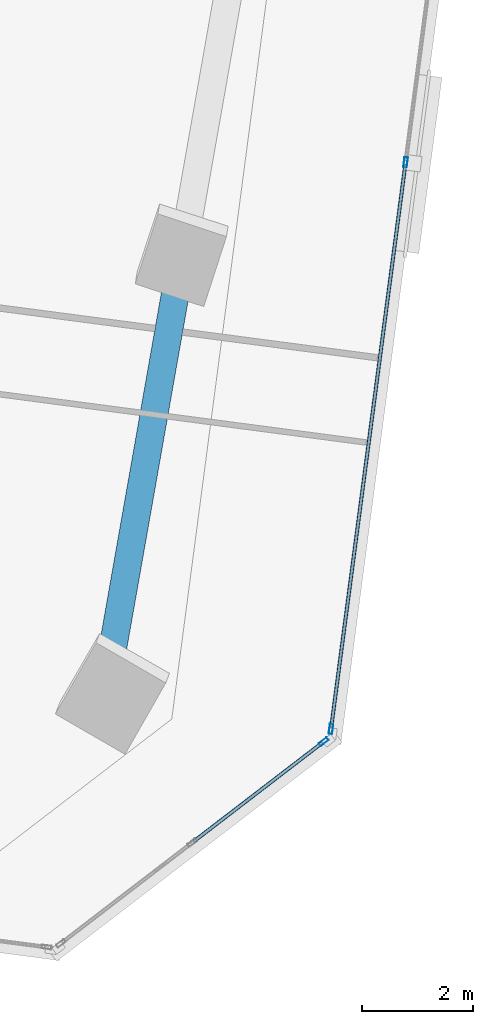
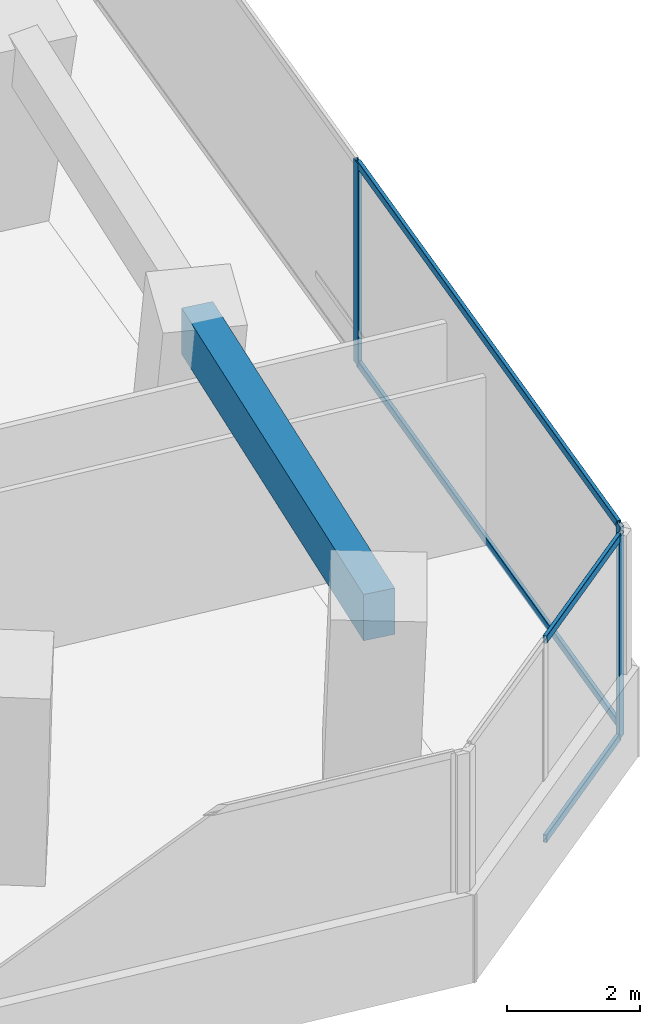
# One storey, part 10 of 24: 7 members, 1 beam, 2 elements without a shape of their own.
"""IFC4 building model written with IfcOpenShell, lengths in metres."""

import ifcopenshell
import ifcopenshell.guid

model = None  # the IFC model being written
_history = None  # IfcOwnerHistory: only IFC2X3 demands one
_inside = {}  # id of a spatial element -> (the spatial element, [elements in it])
_under = {}  # id of a project, library or spatial element -> (it, [spatial elements below it])
_declared = {}  # id of a project -> (the project, [libraries it declares])
_typed = {}  # id of a type object -> (the type object, [elements of that type])
_made_of = {}  # id of a material, layer set ... -> (it, [elements and type objects made of it])


def new_model(schema):
    """Start an empty IFC model of exactly this schema.

    Asked for "IFC4X3", IfcOpenShell would pick the latest addendum, in which some entities
    have other attributes; the version numbers below select the first issue.
    IFC2X3 requires an IfcOwnerHistory on every rooted entity: one is made here for all.
    """
    global model, _history
    if schema == "IFC4X3":
        model = ifcopenshell.file(schema_version=(4, 3, 0, 0))
    else:
        model = ifcopenshell.file(schema=schema)
    _inside.clear()
    _under.clear()
    _declared.clear()
    _typed.clear()
    _made_of.clear()
    _history = None
    if model.schema == "IFC2X3":
        org = make("IfcOrganization", Name="unknown")
        user = make(
            "IfcPersonAndOrganization",
            ThePerson=make("IfcPerson", FamilyName="unknown"),
            TheOrganization=org,
        )
        app = make(
            "IfcApplication",
            ApplicationDeveloper=org,
            Version="unknown",
            ApplicationFullName="unknown",
            ApplicationIdentifier="unknown",
        )
        _history = make(
            "IfcOwnerHistory",
            OwningUser=user,
            OwningApplication=app,
            ChangeAction="ADDED",
            CreationDate=0,
        )
    return model


def make(cls, **values):
    """One entity of the class cls with the attributes given. An attribute that is None is left unset."""
    return model.create_entity(
        cls, **{name: value for name, value in values.items() if value is not None}
    )


def rooted(cls, **values):
    """An entity with a GlobalId (a new one), such as an element, a storey or a relation."""
    return make(cls, GlobalId=ifcopenshell.guid.new(), OwnerHistory=_history, **values)


def si_unit(unit_type, name, prefix=None):
    """IfcSIUnit, for example si_unit("LENGTHUNIT", "METRE", prefix="MILLI")."""
    return make("IfcSIUnit", UnitType=unit_type, Prefix=prefix, Name=name)


def assignment(units):
    """IfcUnitAssignment: the units of a project."""
    return None if units is None else make("IfcUnitAssignment", Units=units)


def point(xyz):
    """IfcCartesianPoint."""
    return None if xyz is None else make("IfcCartesianPoint", Coordinates=xyz)


def direction(xyz):
    """IfcDirection."""
    return None if xyz is None else make("IfcDirection", DirectionRatios=xyz)


def frame(location, z_axis=None, x_axis=None):
    """IfcAxis2Placement3D, a coordinate frame: its origin and axes. An axis left out is left unset."""
    return make(
        "IfcAxis2Placement3D",
        Location=point(location),
        Axis=direction(z_axis),
        RefDirection=direction(x_axis),
    )


def frame_2d(location, x_axis=None):
    """IfcAxis2Placement2D, a coordinate frame in the plane: its origin and x axis."""
    return make(
        "IfcAxis2Placement2D", Location=point(location), RefDirection=direction(x_axis)
    )


def origin():
    """The frame at (0, 0, 0) with its axes left unset."""
    return frame((0.0, 0.0, 0.0))


def origin_2d():
    """The frame at (0, 0) in the plane with its x axis left unset."""
    return frame_2d((0.0, 0.0))


def place(relative_to, where):
    """IfcLocalPlacement: puts the frame where relative to a parent placement (None: the world)."""
    return make(
        "IfcLocalPlacement", PlacementRelTo=relative_to, RelativePlacement=where
    )


def context(
    kind, dimensions, precision=None, world=None, true_north=None, identifier=None
):
    """IfcGeometricRepresentationContext, for example the 3D "Model" context."""
    return make(
        "IfcGeometricRepresentationContext",
        ContextIdentifier=identifier,
        ContextType=kind,
        CoordinateSpaceDimension=dimensions,
        Precision=precision,
        WorldCoordinateSystem=world,
        TrueNorth=true_north,
    )


def subcontext(parent, identifier, kind, view, scale=None):
    """IfcGeometricRepresentationSubContext, for example "Body" below "Model"."""
    return make(
        "IfcGeometricRepresentationSubContext",
        ContextIdentifier=identifier,
        ContextType=kind,
        ParentContext=parent,
        TargetScale=scale,
        TargetView=view,
    )


def project(units=None, contexts=None):
    """IfcProject with its units and contexts."""
    return rooted(
        "IfcProject",
        Name="project",
        RepresentationContexts=contexts,
        UnitsInContext=assignment(units),
    )


def spatial(cls, under=None, at=None, **own):
    """A site, building, storey or space (cls), placed at a placement, below another one or the project."""
    s = rooted(cls, ObjectPlacement=at, **own)
    if under is not None:
        _under.setdefault(under.id(), (under, []))[1].append(s)
    return s


def profile(cls, at=None, kind="AREA", **sizes):
    """A parametric profile (cls). Its sizes go by their IFC names, for example OverallWidth=200.0."""
    return make(cls, ProfileType=kind, Position=at, **sizes)


def rectangle(**sizes):
    """IfcRectangleProfileDef."""
    return profile("IfcRectangleProfileDef", **sizes)


def hollow_rectangle(**sizes):
    """IfcRectangleHollowProfileDef."""
    return profile("IfcRectangleHollowProfileDef", **sizes)


def extrude(swept, where, along, depth):
    """IfcExtrudedAreaSolid: the profile swept, set in the frame where, extruded along a direction by depth."""
    return make(
        "IfcExtrudedAreaSolid",
        SweptArea=swept,
        Position=where,
        ExtrudedDirection=direction(along),
        Depth=depth,
    )


def shape(context_of_items, identifier, shape_type, items):
    """IfcShapeRepresentation: the items that make up one representation, for example the "Body"."""
    return make(
        "IfcShapeRepresentation",
        ContextOfItems=context_of_items,
        RepresentationIdentifier=identifier,
        RepresentationType=shape_type,
        Items=items,
    )


def source(mapping_origin, context_of_items, identifier, shape_type, items):
    """IfcRepresentationMap: a shape defined once, which mapped items show again and again."""
    return make(
        "IfcRepresentationMap",
        MappingOrigin=mapping_origin,
        MappedRepresentation=shape(context_of_items, identifier, shape_type, items),
    )


def transform(
    local_origin,
    x_axis=None,
    y_axis=None,
    z_axis=None,
    scale=None,
    scale2=None,
    scale3=None,
    uniform=True,
):
    """IfcCartesianTransformationOperator3D, or its non-uniform kind. x_axis, y_axis, z_axis: its Axis1, 2, 3."""
    if uniform:
        return make(
            "IfcCartesianTransformationOperator3D",
            Axis1=direction(x_axis),
            Axis2=direction(y_axis),
            LocalOrigin=point(local_origin),
            Scale=scale,
            Axis3=direction(z_axis),
        )
    return make(
        "IfcCartesianTransformationOperator3DnonUniform",
        Axis1=direction(x_axis),
        Axis2=direction(y_axis),
        LocalOrigin=point(local_origin),
        Scale=scale,
        Axis3=direction(z_axis),
        Scale2=scale2,
        Scale3=scale3,
    )


def mapped(mapping_source, mapping_target):
    """IfcMappedItem: shows the shape of a source again, moved by a transform."""
    return make(
        "IfcMappedItem", MappingSource=mapping_source, MappingTarget=mapping_target
    )


def material(Name=None, Category=None):
    """IfcMaterial."""
    return make("IfcMaterial", Name=Name, Category=Category)


def material_profile(
    of_material, cross_section, Name=None, Category=None, Priority=None
):
    """IfcMaterialProfile: a cross section and its material."""
    return make(
        "IfcMaterialProfile",
        Name=Name,
        Material=of_material,
        Profile=cross_section,
        Priority=Priority,
        Category=Category,
    )


def profile_set(profiles, Name=None, composite=None):
    """IfcMaterialProfileSet."""
    return make(
        "IfcMaterialProfileSet",
        Name=Name,
        MaterialProfiles=profiles,
        CompositeProfile=composite,
    )


def made_of(thing, what):
    """Note that an element or type object is made of a material, layer set ...; save() writes the relation."""
    if what is not None:
        _made_of.setdefault(what.id(), (what, []))[1].append(thing)
    return thing


def type_object(cls, material=None, **own):
    """A type object (cls), such as IfcWallType, which elements share."""
    return made_of(rooted(cls, **own), material)


def element(
    cls,
    number,
    at=None,
    inside=None,
    cuts=None,
    type_object=None,
    material=None,
    context=None,
    identifier="Body",
    shape_type=None,
    held_by="IfcProductDefinitionShape",
    body=None,
    shapes=None,
    **own,
):
    """One element of the class cls, such as IfcWall. Its Tag is "e" and its number.

    at: its placement. inside: the storey or other place that contains it. cuts: it is an
    opening in that element (IfcRelVoidsElement). A single representation is given by context,
    identifier, shape_type and body (its items); several are given by shapes. held_by: the class
    of the entity that holds the representations. save() writes the other relations.
    """
    e = rooted(cls, Tag="e%d" % number, ObjectPlacement=at, **own)
    if body is not None:
        shapes = [shape(context, identifier, shape_type, body)]
    if shapes is not None:
        e.Representation = make(held_by, Representations=shapes)
    if inside is not None:
        _inside.setdefault(inside.id(), (inside, []))[1].append(e)
    if cuts is not None:
        rooted(
            "IfcRelVoidsElement", RelatingBuildingElement=cuts, RelatedOpeningElement=e
        )
    if type_object is not None:
        _typed.setdefault(type_object.id(), (type_object, []))[1].append(e)
    return made_of(e, material)


def aggregate(whole, parts):
    """IfcRelAggregates: a whole, such as a stair, and the parts it consists of."""
    return rooted("IfcRelAggregates", RelatingObject=whole, RelatedObjects=parts)


def save(model, path):
    """Write the relations noted so far, then the file.

    IfcRelAggregates (storeys below a building ...), IfcRelContainedInSpatialStructure (elements
    in a storey), IfcRelDefinesByType, IfcRelAssociatesMaterial and IfcRelDeclares: one each for
    every whole, place, type object, material and project.
    """
    for whole, parts in _under.values():
        aggregate(whole, parts)
    for where, things in _inside.values():
        rooted(
            "IfcRelContainedInSpatialStructure",
            RelatedElements=things,
            RelatingStructure=where,
        )
    for kind, things in _typed.values():
        rooted("IfcRelDefinesByType", RelatedObjects=things, RelatingType=kind)
    for what, things in _made_of.values():
        rooted("IfcRelAssociatesMaterial", RelatedObjects=things, RelatingMaterial=what)
    for by, libraries in _declared.values():
        rooted("IfcRelDeclares", RelatingContext=by, RelatedDefinitions=libraries)
    model.write(path)


model = new_model("IFC4")

# Units and contexts
model_context = context("Model", 3, precision=1e-05, world=origin(), true_north=direction((0.0, 1.0)))
body_context = subcontext(model_context, "Body", "Model", "MODEL_VIEW")
ifc_project = project(units=[si_unit("LENGTHUNIT", "METRE"), si_unit("AREAUNIT", "SQUARE_METRE"), si_unit("VOLUMEUNIT", "CUBIC_METRE"), si_unit("PLANEANGLEUNIT", "RADIAN"), si_unit("MASSUNIT", "GRAM", prefix="KILO")], contexts=[model_context])

# Site, building, storey
site_placement = place(None, origin())
site = spatial("IfcSite", under=ifc_project, at=site_placement, CompositionType="ELEMENT")
building_placement = place(site_placement, origin())
building = spatial("IfcBuilding", under=site, at=building_placement, Name="Torre Montelarca", CompositionType="ELEMENT")
storey_placement = place(building_placement, frame((0.0, 0.0, 70.60009765625)))
storey = spatial("IfcBuildingStorey", under=building, at=storey_placement, Name="L15", CompositionType="ELEMENT", Elevation=70.60009765625)

# Beam
ifc_material_1 = material(Name="Concrete C55/67", Category="concrete")
ifc_material_profile_1 = material_profile(ifc_material_1, rectangle(XDim=0.5, YDim=0.85009765625, at=origin_2d()), Name="RCB500X850", Category="concrete")
ifc_profile_set_1 = profile_set([ifc_material_profile_1], Name="Concrete C55/67")
beam_type = type_object("IfcBeamType", Name="BM-SP-RC850-EXT", PredefinedType="SPANDREL", material=ifc_profile_set_1)
shared_shape_1 = source(origin(), body_context, "Body", "SweptSolid", [
    extrude(rectangle(XDim=0.5, YDim=0.85009765625, at=origin_2d()), origin(), (0.0, 0.0, 1.0), 8.0),
])
beam_placement = place(storey_placement, frame((58.02587890625, 17.43603515625, 3.534912109375), z_axis=(0.173646056486, 0.984808127031, 0.0), x_axis=(-0.984808127031, 0.173646056486, 0.0)))
element("IfcBeam", 1, at=beam_placement, inside=storey, type_object=beam_type, Name="L15 Grid Girder Y 24.0-32.0 at X=60.0", PredefinedType="SPANDREL", context=body_context, shape_type="MappedRepresentation", body=[
    mapped(shared_shape_1, transform((0.0, 0.0, 0.0), scale=1.0)),
])

# Curtain wall, members
ifc_material_2 = material(Name="Insulated low-E laminated glass", Category="glass")
curtain_wall_type = type_object("IfcCurtainWallType", Name="CW-SYS-Z1", PredefinedType="USERDEFINED", material=ifc_material_2)
curtain_wall_1_placement = place(storey_placement, origin())
curtain_wall_1 = element("IfcCurtainWall", 2, at=curtain_wall_1_placement, inside=storey, type_object=curtain_wall_type, Name="L15 Curtain Wall Run CW-T3-L15-E05-B1", ObjectType="UNITISED GLAZING", PredefinedType="USERDEFINED")
ifc_material_3 = material(Name="Anodised aluminium AA 6063-T6", Category="aluminium")
ifc_material_profile_2 = material_profile(ifc_material_3, hollow_rectangle(XDim=0.06494140625, YDim=0.139892578125, WallThickness=0.00390625, InnerFilletRadius=0.00390625, OuterFilletRadius=0.008056640625, at=origin_2d()), Name="ALU65X140X4", Category="aluminium")
ifc_profile_set_2 = profile_set([ifc_material_profile_2], Name="Anodised aluminium AA 6063-T6")
member_type_1 = type_object("IfcMemberType", Name="CWT-ALU140", PredefinedType="USERDEFINED", material=ifc_profile_set_2)
shared_shape_2 = source(origin(), body_context, "Body", "SweptSolid", [
    extrude(hollow_rectangle(XDim=0.06494140625, YDim=0.139892578125, WallThickness=0.00390625, InnerFilletRadius=0.00390625, OuterFilletRadius=0.008056640625, at=origin_2d()), origin(), (0.0, 0.0, 1.0), 2.918701171875),
])
member_1_placement = place(storey_placement, frame((59.74560546875, 15.43115234375, 0.032470703125), z_axis=(0.793326237783, 0.608796748058, 0.0), x_axis=(-0.608796748058, 0.793326237783, 0.0)))
member_1 = element("IfcMember", 3, at=member_1_placement, type_object=member_type_1, Name="CW transom 2.1", ObjectType="TRANSOM", PredefinedType="USERDEFINED", context=body_context, shape_type="MappedRepresentation", body=[
    mapped(shared_shape_2, transform((0.0, 0.0, 0.0), scale=1.0)),
])
member_2_placement = place(storey_placement, frame((59.74560546875, 15.43115234375, 3.6875), z_axis=(0.793326237783, 0.608796748058, 0.0), x_axis=(-0.608796748058, 0.793326237783, 0.0)))
member_2 = element("IfcMember", 4, at=member_2_placement, type_object=member_type_1, Name="CW transom 2.2", ObjectType="TRANSOM", PredefinedType="USERDEFINED", context=body_context, shape_type="MappedRepresentation", body=[
    mapped(shared_shape_2, transform((0.0, 0.0, 0.0), scale=1.0)),
])

curtain_wall_2_placement = place(storey_placement, origin())
curtain_wall_2 = element("IfcCurtainWall", 5, at=curtain_wall_2_placement, inside=storey, type_object=curtain_wall_type, Name="L15 Curtain Wall Run CW-T3-L15-E06-B1", ObjectType="UNITISED GLAZING", PredefinedType="USERDEFINED")
shared_shape_3 = source(origin(), body_context, "Body", "SweptSolid", [
    extrude(hollow_rectangle(XDim=0.06494140625, YDim=0.139892578125, WallThickness=0.00390625, InnerFilletRadius=0.00390625, OuterFilletRadius=0.008056640625, at=origin_2d()), origin(), (0.0, 0.0, 1.0), 10.236572265625),
])
member_3_placement = place(storey_placement, frame((62.224609375, 17.4912109375, 0.032470703125), z_axis=(0.130531014, 0.991444226563, 0.0), x_axis=(-0.991444226563, 0.130531014, 0.0)))
member_3 = element("IfcMember", 6, at=member_3_placement, type_object=member_type_1, Name="CW transom 1.1", ObjectType="TRANSOM", PredefinedType="USERDEFINED", context=body_context, shape_type="MappedRepresentation", body=[
    mapped(shared_shape_3, transform((0.0, 0.0, 0.0), scale=1.0)),
])
member_4_placement = place(storey_placement, frame((62.224609375, 17.4912109375, 3.6875), z_axis=(0.130531014, 0.991444226563, 0.0), x_axis=(-0.991444226563, 0.130531014, 0.0)))
member_4 = element("IfcMember", 7, at=member_4_placement, type_object=member_type_1, Name="CW transom 1.2", ObjectType="TRANSOM", PredefinedType="USERDEFINED", context=body_context, shape_type="MappedRepresentation", body=[
    mapped(shared_shape_3, transform((0.0, 0.0, 0.0), scale=1.0)),
])

# Member
ifc_material_profile_3 = material_profile(ifc_material_3, hollow_rectangle(XDim=0.06494140625, YDim=0.179931640625, WallThickness=0.00390625, InnerFilletRadius=0.00390625, OuterFilletRadius=0.008056640625, at=origin_2d()), Name="ALU65X180X4", Category="aluminium")
ifc_profile_set_3 = profile_set([ifc_material_profile_3], Name="Anodised aluminium AA 6063-T6")
member_type_2 = type_object("IfcMemberType", Name="CWM-ALU180", PredefinedType="MULLION", material=ifc_profile_set_3)
shared_shape_4 = source(origin(), body_context, "Body", "SweptSolid", [
    extrude(hollow_rectangle(XDim=0.06494140625, YDim=0.179931640625, WallThickness=0.00390625, InnerFilletRadius=0.00390625, OuterFilletRadius=0.008056640625, at=origin_2d()), origin(), (0.0, 0.0, 1.0), 3.719970703125),
])
member_5_placement = place(storey_placement, frame((62.0869140625, 17.227783203125, 0.0), z_axis=(0.0, 0.0, 1.0), x_axis=(-0.608764194066, 0.793351218581, 0.0)))
member_5 = element("IfcMember", 8, at=member_5_placement, type_object=member_type_2, Name="CW mullion 3", PredefinedType="MULLION", context=body_context, shape_type="MappedRepresentation", body=[
    mapped(shared_shape_4, transform((0.0, 0.0, 0.0), scale=1.0)),
])

aggregate(curtain_wall_1, [member_5, member_1, member_2])

member_6_placement = place(storey_placement, frame((62.220458984375, 17.458984375, 0.0), z_axis=(0.0, 0.0, 1.0), x_axis=(-0.991445845328, 0.130518718127, 0.0)))
member_6 = element("IfcMember", 9, at=member_6_placement, type_object=member_type_2, Name="CW mullion 1", PredefinedType="MULLION", context=body_context, shape_type="MappedRepresentation", body=[
    mapped(shared_shape_4, transform((0.0, 0.0, 0.0), scale=1.0)),
])

member_7_placement = place(storey_placement, frame((63.56494140625, 27.67236328125, 0.0), z_axis=(0.0, 0.0, 1.0), x_axis=(-0.991445845328, 0.130518718127, 0.0)))
member_7 = element("IfcMember", 10, at=member_7_placement, type_object=member_type_2, Name="CW mullion 2", PredefinedType="MULLION", context=body_context, shape_type="MappedRepresentation", body=[
    mapped(shared_shape_4, transform((0.0, 0.0, 0.0), scale=1.0)),
])

aggregate(curtain_wall_2, [member_6, member_7, member_3, member_4])

save(model, "model.ifc")
